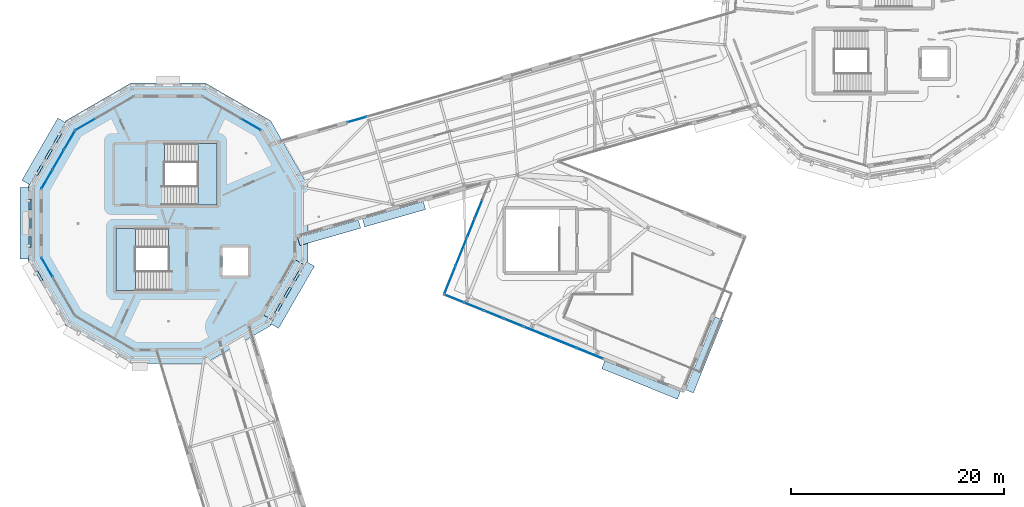
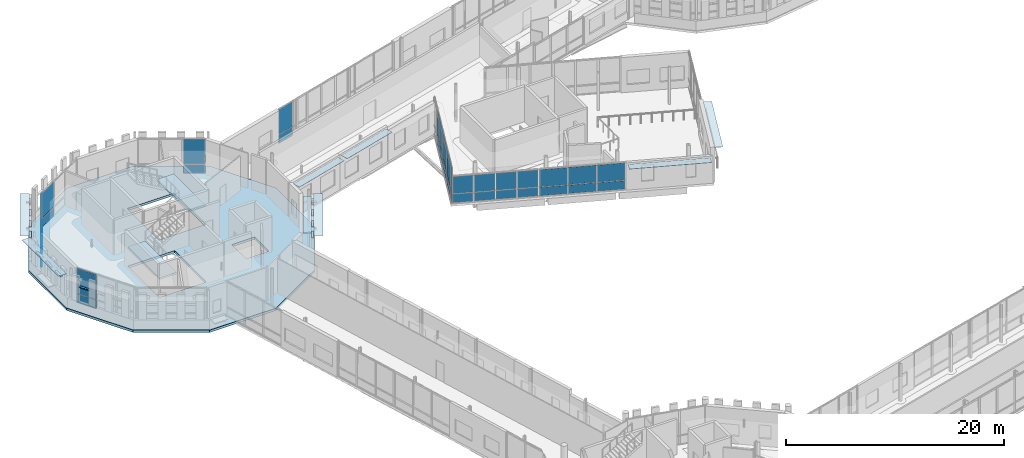
# One storey, part 74 of 125: 54 plates, 3 slabs, 11 elements without a shape of their own.
"""IFC4 building model written with IfcOpenShell, lengths in metres."""

from ifc_helpers import new_model, si_unit, direction, frame, origin, origin_2d, place, context, subcontext, project, spatial, polyline, rectangle, outline, extrude, material, layer, layer_set, type_object, element, aggregate, save


model = new_model("IFC4")

# Units and contexts
model_context = context("Model", 3, precision=1e-05, world=origin(), true_north=direction((0.0, 1.0)))
body_context = subcontext(model_context, "Body", "Model", "MODEL_VIEW")
ifc_project = project(units=[si_unit("LENGTHUNIT", "METRE"), si_unit("AREAUNIT", "SQUARE_METRE"), si_unit("VOLUMEUNIT", "CUBIC_METRE"), si_unit("PLANEANGLEUNIT", "RADIAN"), si_unit("MASSUNIT", "GRAM", prefix="KILO")], contexts=[model_context])

# Site, building, storey
site_placement = place(None, origin())
site = spatial("IfcSite", under=ifc_project, at=site_placement, CompositionType="ELEMENT")
building_placement = place(site_placement, origin())
building = spatial("IfcBuilding", under=site, at=building_placement, Name="Wrenclough Park School", CompositionType="ELEMENT")
storey_placement = place(building_placement, frame((0.0, 0.0, 4.199951171875)))
storey = spatial("IfcBuildingStorey", under=building, at=storey_placement, Name="L01", CompositionType="ELEMENT", Elevation=4.199951171875)

# Curtain wall, plates
ifc_material_1 = material(Name="Thermally broken aluminium and low-e glass curtain wall", Category="aluminium")
curtain_wall_type_1 = type_object("IfcCurtainWallType", Name="ENV-CW-01", PredefinedType="USERDEFINED", material=ifc_material_1)
curtain_wall_1_placement = place(storey_placement, origin())
curtain_wall_1 = element("IfcCurtainWall", 1, at=curtain_wall_1_placement, inside=storey, type_object=curtain_wall_type_1, Name="L01 recessed curtain wall assembly 096", ObjectType="CURTAIN WALL", PredefinedType="USERDEFINED")
ifc_material_2 = material(Name="Double-glazed solar-control low-e glass", Category="glass")
ifc_layer_1 = layer(ifc_material_2, 0.02587890625)
ifc_layer_set_1 = layer_set([ifc_layer_1], Name="Double-glazed solar-control low-e glass")
plate_type_1 = type_object("IfcPlateType", Name="ENV-CWP-GL26", PredefinedType="CURTAIN_PANEL", material=ifc_layer_set_1)
plate_1_placement = place(storey_placement, frame((8.720458984375, 98.756103515625, 0.06005859375), z_axis=(0.0, 0.0, 1.0), x_axis=(0.86602591075, 0.499999121909, 0.0)))
plate_1 = element("IfcPlate", 2, at=plate_1_placement, type_object=plate_type_1, Name="CW-01 panel 1.1", PredefinedType="CURTAIN_PANEL", context=body_context, shape_type="SweptSolid", body=[
    extrude(rectangle(XDim=2.0341796875, YDim=0.02587890625, at=origin_2d()), origin(), (0.0, 0.0, 1.0), 0.9599609375),
])
plate_2_placement = place(storey_placement, frame((8.720458984375, 98.756103515625, 1.080078125), z_axis=(0.0, 0.0, 1.0), x_axis=(0.86602591075, 0.499999121909, 0.0)))
plate_2 = element("IfcPlate", 3, at=plate_2_placement, type_object=plate_type_1, Name="CW-01 panel 1.2", PredefinedType="CURTAIN_PANEL", context=body_context, shape_type="SweptSolid", body=[
    extrude(rectangle(XDim=2.0341796875, YDim=0.02587890625, at=origin_2d()), origin(), (0.0, 0.0, 1.0), 2.800048828125),
])
aggregate(curtain_wall_1, [plate_1, plate_2])

curtain_wall_2_placement = place(storey_placement, origin())
curtain_wall_2 = element("IfcCurtainWall", 4, at=curtain_wall_2_placement, inside=storey, type_object=curtain_wall_type_1, Name="L01 recessed curtain wall assembly 176", ObjectType="CURTAIN WALL", PredefinedType="USERDEFINED")
plate_3_placement = place(storey_placement, frame((48.89990234375, 80.1796875, 0.06982421875), z_axis=(0.0, 0.0, 1.0), x_axis=(-0.927185306493, 0.374602999753, 0.0)))
plate_3 = element("IfcPlate", 5, at=plate_3_placement, type_object=plate_type_1, Name="CW-01 panel 1.1", PredefinedType="CURTAIN_PANEL", context=body_context, shape_type="SweptSolid", body=[
    extrude(rectangle(XDim=1.90625, YDim=0.02587890625, at=origin_2d()), origin(), (0.0, 0.0, 1.0), 0.945068359375),
])
plate_4_placement = place(storey_placement, frame((48.89990234375, 80.1796875, 1.0849609375), z_axis=(0.0, 0.0, 1.0), x_axis=(-0.927185306493, 0.374602999753, 0.0)))
plate_4 = element("IfcPlate", 6, at=plate_4_placement, type_object=plate_type_1, Name="CW-01 panel 1.2", PredefinedType="CURTAIN_PANEL", context=body_context, shape_type="SweptSolid", body=[
    extrude(rectangle(XDim=1.90625, YDim=0.02587890625, at=origin_2d()), origin(), (0.0, 0.0, 1.0), 1.902099609375),
])
plate_5_placement = place(storey_placement, frame((47.05126953125, 80.926513671875, 0.06982421875), z_axis=(0.0, 0.0, 1.0), x_axis=(-0.927185306493, 0.374602999753, 0.0)))
plate_5 = element("IfcPlate", 7, at=plate_5_placement, type_object=plate_type_1, Name="CW-01 panel 2.1", PredefinedType="CURTAIN_PANEL", context=body_context, shape_type="SweptSolid", body=[
    extrude(rectangle(XDim=1.94140625, YDim=0.02587890625, at=origin_2d()), origin(), (0.0, 0.0, 1.0), 0.945068359375),
])
plate_6_placement = place(storey_placement, frame((47.05126953125, 80.926513671875, 1.0849609375), z_axis=(0.0, 0.0, 1.0), x_axis=(-0.927185306493, 0.374602999753, 0.0)))
plate_6 = element("IfcPlate", 8, at=plate_6_placement, type_object=plate_type_1, Name="CW-01 panel 2.2", PredefinedType="CURTAIN_PANEL", context=body_context, shape_type="SweptSolid", body=[
    extrude(rectangle(XDim=1.94140625, YDim=0.02587890625, at=origin_2d()), origin(), (0.0, 0.0, 1.0), 1.902099609375),
])
plate_7_placement = place(storey_placement, frame((45.186279296875, 81.679931640625, 0.06982421875), z_axis=(0.0, 0.0, 1.0), x_axis=(-0.927185306493, 0.374602999753, 0.0)))
plate_7 = element("IfcPlate", 9, at=plate_7_placement, type_object=plate_type_1, Name="CW-01 panel 3.1", PredefinedType="CURTAIN_PANEL", context=body_context, shape_type="SweptSolid", body=[
    extrude(rectangle(XDim=1.94140625, YDim=0.02587890625, at=origin_2d()), origin(), (0.0, 0.0, 1.0), 0.945068359375),
])
plate_8_placement = place(storey_placement, frame((45.186279296875, 81.679931640625, 1.0849609375), z_axis=(0.0, 0.0, 1.0), x_axis=(-0.927185306493, 0.374602999753, 0.0)))
plate_8 = element("IfcPlate", 10, at=plate_8_placement, type_object=plate_type_1, Name="CW-01 panel 3.2", PredefinedType="CURTAIN_PANEL", context=body_context, shape_type="SweptSolid", body=[
    extrude(rectangle(XDim=1.94140625, YDim=0.02587890625, at=origin_2d()), origin(), (0.0, 0.0, 1.0), 1.902099609375),
])
plate_9_placement = place(storey_placement, frame((43.337646484375, 82.427001953125, 0.06982421875), z_axis=(0.0, 0.0, 1.0), x_axis=(-0.927185306493, 0.374602999753, 0.0)))
plate_9 = element("IfcPlate", 11, at=plate_9_placement, type_object=plate_type_1, Name="CW-01 panel 4.1", PredefinedType="CURTAIN_PANEL", context=body_context, shape_type="SweptSolid", body=[
    extrude(rectangle(XDim=1.90625, YDim=0.02587890625, at=origin_2d()), origin(), (0.0, 0.0, 1.0), 0.945068359375),
])
plate_10_placement = place(storey_placement, frame((43.337646484375, 82.427001953125, 1.0849609375), z_axis=(0.0, 0.0, 1.0), x_axis=(-0.927185306493, 0.374602999753, 0.0)))
plate_10 = element("IfcPlate", 12, at=plate_10_placement, type_object=plate_type_1, Name="CW-01 panel 4.2", PredefinedType="CURTAIN_PANEL", context=body_context, shape_type="SweptSolid", body=[
    extrude(rectangle(XDim=1.90625, YDim=0.02587890625, at=origin_2d()), origin(), (0.0, 0.0, 1.0), 1.902099609375),
])
aggregate(curtain_wall_2, [plate_3, plate_4, plate_5, plate_6, plate_7, plate_8, plate_9, plate_10])

curtain_wall_type_2 = type_object("IfcCurtainWallType", Name="ENV-CW-02", PredefinedType="USERDEFINED", material=ifc_material_1)
curtain_wall_3_placement = place(storey_placement, origin())
curtain_wall_3 = element("IfcCurtainWall", 13, at=curtain_wall_3_placement, inside=storey, type_object=curtain_wall_type_2, Name="L01 recessed curtain wall assembly 097", ObjectType="CURTAIN WALL", PredefinedType="USERDEFINED")
ifc_material_3 = material(Name="Double-glazed acoustic low-e glass", Category="glass")
ifc_layer_2 = layer(ifc_material_3, 0.030029296875)
ifc_layer_set_2 = layer_set([ifc_layer_2], Name="Double-glazed acoustic low-e glass")
plate_type_2 = type_object("IfcPlateType", Name="ENV-CWP-GL30", PredefinedType="CURTAIN_PANEL", material=ifc_layer_set_2)
plate_11_placement = place(storey_placement, frame((24.2783203125, 98.7568359375, 0.06494140625), z_axis=(0.0, 0.0, 1.0), x_axis=(0.86602591075, -0.499999121909, 0.0)))
plate_11 = element("IfcPlate", 14, at=plate_11_placement, type_object=plate_type_2, Name="CW-02 panel 3.1", PredefinedType="CURTAIN_PANEL", context=body_context, shape_type="SweptSolid", body=[
    extrude(rectangle(XDim=2.026611328125, YDim=0.030029296875, at=origin_2d()), origin(), (0.0, 0.0, 1.0), 0.952392578125),
])
plate_12_placement = place(storey_placement, frame((24.2783203125, 98.7568359375, 1.08251953125), z_axis=(0.0, 0.0, 1.0), x_axis=(0.86602591075, -0.499999121909, 0.0)))
plate_12 = element("IfcPlate", 15, at=plate_12_placement, type_object=plate_type_2, Name="CW-02 panel 3.2", PredefinedType="CURTAIN_PANEL", context=body_context, shape_type="SweptSolid", body=[
    extrude(rectangle(XDim=2.026611328125, YDim=0.030029296875, at=origin_2d()), origin(), (0.0, 0.0, 1.0), 2.79248046875),
])
aggregate(curtain_wall_3, [plate_11, plate_12])

curtain_wall_4_placement = place(storey_placement, origin())
curtain_wall_4 = element("IfcCurtainWall", 16, at=curtain_wall_4_placement, inside=storey, type_object=curtain_wall_type_2, Name="L01 recessed curtain wall assembly 177", ObjectType="CURTAIN WALL", PredefinedType="USERDEFINED")
plate_13_placement = place(storey_placement, frame((42.9296875, 84.1591796875, 0.06005859375), z_axis=(0.0, 0.0, 1.0), x_axis=(0.374594739073, 0.927188643944, 0.0)))
plate_13 = element("IfcPlate", 17, at=plate_13_placement, type_object=plate_type_2, Name="CW-02 panel 1.1", PredefinedType="CURTAIN_PANEL", context=body_context, shape_type="SweptSolid", body=[
    extrude(rectangle(XDim=2.77880859375, YDim=0.030029296875, at=origin_2d()), origin(), (0.0, 0.0, 1.0), 0.9599609375),
])
plate_14_placement = place(storey_placement, frame((42.9296875, 84.1591796875, 1.080078125), z_axis=(0.0, 0.0, 1.0), x_axis=(0.374594739073, 0.927188643944, 0.0)))
plate_14 = element("IfcPlate", 18, at=plate_14_placement, type_object=plate_type_2, Name="CW-02 panel 1.2", PredefinedType="CURTAIN_PANEL", context=body_context, shape_type="SweptSolid", body=[
    extrude(rectangle(XDim=2.77880859375, YDim=0.030029296875, at=origin_2d()), origin(), (0.0, 0.0, 1.0), 2.800048828125),
])
plate_15_placement = place(storey_placement, frame((43.9931640625, 86.79150390625, 0.06005859375), z_axis=(0.0, 0.0, 1.0), x_axis=(0.374594739073, 0.927188643944, 0.0)))
plate_15 = element("IfcPlate", 19, at=plate_15_placement, type_object=plate_type_2, Name="CW-02 panel 2.1", PredefinedType="CURTAIN_PANEL", context=body_context, shape_type="SweptSolid", body=[
    extrude(rectangle(XDim=2.77880859375, YDim=0.030029296875, at=origin_2d()), origin(), (0.0, 0.0, 1.0), 0.9599609375),
])
plate_16_placement = place(storey_placement, frame((43.9931640625, 86.79150390625, 1.080078125), z_axis=(0.0, 0.0, 1.0), x_axis=(0.374594739073, 0.927188643944, 0.0)))
plate_16 = element("IfcPlate", 20, at=plate_16_placement, type_object=plate_type_2, Name="CW-02 panel 2.2", PredefinedType="CURTAIN_PANEL", context=body_context, shape_type="SweptSolid", body=[
    extrude(rectangle(XDim=2.77880859375, YDim=0.030029296875, at=origin_2d()), origin(), (0.0, 0.0, 1.0), 2.800048828125),
])
aggregate(curtain_wall_4, [plate_13, plate_14, plate_15, plate_16])

curtain_wall_type_3 = type_object("IfcCurtainWallType", Name="ENV-CW-03", PredefinedType="USERDEFINED", material=ifc_material_1)
curtain_wall_5_placement = place(storey_placement, origin())
curtain_wall_5 = element("IfcCurtainWall", 21, at=curtain_wall_5_placement, inside=storey, type_object=curtain_wall_type_3, Name="L01 recessed curtain wall assembly 098", ObjectType="CURTAIN WALL", PredefinedType="USERDEFINED")
ifc_material_4 = material(Name="Triple-glazed senior-lab low-e glass", Category="glass")
ifc_layer_3 = layer(ifc_material_4, 0.033935546875)
ifc_layer_set_3 = layer_set([ifc_layer_3], Name="Triple-glazed senior-lab low-e glass")
plate_type_3 = type_object("IfcPlateType", Name="ENV-CWP-GL34", PredefinedType="CURTAIN_PANEL", material=ifc_layer_set_3)
plate_17_placement = place(storey_placement, frame((34.20556640625, 99.218017578125, 0.06982421875), z_axis=(0.0, 0.0, 1.0), x_axis=(0.96152245159, 0.274726364021, 0.0)))
plate_17 = element("IfcPlate", 22, at=plate_17_placement, type_object=plate_type_3, Name="CW-03 panel 1.1", PredefinedType="CURTAIN_PANEL", context=body_context, shape_type="SweptSolid", body=[
    extrude(rectangle(XDim=1.786865234375, YDim=0.033935546875, at=origin_2d()), origin(), (0.0, 0.0, 1.0), 0.945068359375),
])
plate_18_placement = place(storey_placement, frame((34.20556640625, 99.218017578125, 1.0849609375), z_axis=(0.0, 0.0, 1.0), x_axis=(0.96152245159, 0.274726364021, 0.0)))
plate_18 = element("IfcPlate", 23, at=plate_18_placement, type_object=plate_type_3, Name="CW-03 panel 1.2", PredefinedType="CURTAIN_PANEL", context=body_context, shape_type="SweptSolid", body=[
    extrude(rectangle(XDim=1.786865234375, YDim=0.033935546875, at=origin_2d()), origin(), (0.0, 0.0, 1.0), 2.784912109375),
])
aggregate(curtain_wall_5, [plate_17, plate_18])

curtain_wall_6_placement = place(storey_placement, origin())
curtain_wall_6 = element("IfcCurtainWall", 24, at=curtain_wall_6_placement, inside=storey, type_object=curtain_wall_type_3, Name="L01 recessed curtain wall assembly 178", ObjectType="CURTAIN WALL", PredefinedType="USERDEFINED")
plate_19_placement = place(storey_placement, frame((44.9033203125, 89.04443359375, 0.06494140625), z_axis=(0.0, 0.0, 1.0), x_axis=(0.374603668605, 0.927185036262, 0.0)))
plate_19 = element("IfcPlate", 25, at=plate_19_placement, type_object=plate_type_3, Name="CW-03 panel 1.1", PredefinedType="CURTAIN_PANEL", context=body_context, shape_type="SweptSolid", body=[
    extrude(rectangle(XDim=1.815185546875, YDim=0.033935546875, at=origin_2d()), origin(), (0.0, 0.0, 1.0), 0.952392578125),
])
plate_20_placement = place(storey_placement, frame((44.9033203125, 89.04443359375, 1.08251953125), z_axis=(0.0, 0.0, 1.0), x_axis=(0.374603668605, 0.927185036262, 0.0)))
plate_20 = element("IfcPlate", 26, at=plate_20_placement, type_object=plate_type_3, Name="CW-03 panel 1.2", PredefinedType="CURTAIN_PANEL", context=body_context, shape_type="SweptSolid", body=[
    extrude(rectangle(XDim=1.815185546875, YDim=0.033935546875, at=origin_2d()), origin(), (0.0, 0.0, 1.0), 2.79248046875),
])
plate_21_placement = place(storey_placement, frame((45.61376953125, 90.802734375, 0.06494140625), z_axis=(0.0, 0.0, 1.0), x_axis=(0.374603668605, 0.927185036262, 0.0)))
plate_21 = element("IfcPlate", 27, at=plate_21_placement, type_object=plate_type_3, Name="CW-03 panel 2.1", PredefinedType="CURTAIN_PANEL", context=body_context, shape_type="SweptSolid", body=[
    extrude(rectangle(XDim=1.84765625, YDim=0.033935546875, at=origin_2d()), origin(), (0.0, 0.0, 1.0), 0.952392578125),
])
plate_22_placement = place(storey_placement, frame((45.61376953125, 90.802734375, 1.08251953125), z_axis=(0.0, 0.0, 1.0), x_axis=(0.374603668605, 0.927185036262, 0.0)))
plate_22 = element("IfcPlate", 28, at=plate_22_placement, type_object=plate_type_3, Name="CW-03 panel 2.2", PredefinedType="CURTAIN_PANEL", context=body_context, shape_type="SweptSolid", body=[
    extrude(rectangle(XDim=1.84765625, YDim=0.033935546875, at=origin_2d()), origin(), (0.0, 0.0, 1.0), 2.79248046875),
])
aggregate(curtain_wall_6, [plate_19, plate_20, plate_21, plate_22])

curtain_wall_type_4 = type_object("IfcCurtainWallType", Name="ENV-CW-15", PredefinedType="USERDEFINED", material=ifc_material_1)
curtain_wall_7_placement = place(storey_placement, origin())
curtain_wall_7 = element("IfcCurtainWall", 29, at=curtain_wall_7_placement, inside=storey, type_object=curtain_wall_type_4, Name="L01 recessed curtain wall assembly 094", ObjectType="CURTAIN WALL", PredefinedType="USERDEFINED")
ifc_material_5 = material(Name="Insulated patinated copper-toned spandrel panel", Category="aluminium")
ifc_layer_4 = layer(ifc_material_5, 0.048095703125)
ifc_layer_set_4 = layer_set([ifc_layer_4], Name="Insulated patinated copper-toned spandrel panel")
plate_type_4 = type_object("IfcPlateType", Name="ENV-CWP-SP48", PredefinedType="CURTAIN_PANEL", material=ifc_layer_set_4)
plate_23_placement = place(storey_placement, frame((5.13525390625, 85.37255859375, 0.06494140625), z_axis=(0.0, 0.0, 1.0), x_axis=(-0.499999121909, 0.86602591075, 0.0)))
plate_23 = element("IfcPlate", 30, at=plate_23_placement, type_object=plate_type_4, Name="CW-15 panel 3.1", PredefinedType="CURTAIN_PANEL", context=body_context, shape_type="SweptSolid", body=[
    extrude(rectangle(XDim=2.026611328125, YDim=0.048095703125, at=origin_2d()), origin(), (0.0, 0.0, 1.0), 0.952392578125),
])
plate_24_placement = place(storey_placement, frame((5.13525390625, 85.37255859375, 1.08251953125), z_axis=(0.0, 0.0, 1.0), x_axis=(-0.499999121909, 0.86602591075, 0.0)))
plate_24 = element("IfcPlate", 31, at=plate_24_placement, type_object=plate_type_4, Name="CW-15 panel 3.2", PredefinedType="CURTAIN_PANEL", context=body_context, shape_type="SweptSolid", body=[
    extrude(rectangle(XDim=2.026611328125, YDim=0.048095703125, at=origin_2d()), origin(), (0.0, 0.0, 1.0), 2.79248046875),
])
aggregate(curtain_wall_7, [plate_23, plate_24])

curtain_wall_type_5 = type_object("IfcCurtainWallType", Name="ENV-CW-16", PredefinedType="USERDEFINED", material=ifc_material_1)
curtain_wall_8_placement = place(storey_placement, origin())
curtain_wall_8 = element("IfcCurtainWall", 32, at=curtain_wall_8_placement, inside=storey, type_object=curtain_wall_type_5, Name="L01 recessed curtain wall assembly 095", ObjectType="CURTAIN WALL", PredefinedType="USERDEFINED")
ifc_material_6 = material(Name="Acoustic mineral-wool spandrel cassette", Category="aluminium")
ifc_layer_5 = layer(ifc_material_6, 0.053955078125)
ifc_layer_set_5 = layer_set([ifc_layer_5], Name="Acoustic mineral-wool spandrel cassette")
plate_type_5 = type_object("IfcPlateType", Name="ENV-CWP-SP54", PredefinedType="CURTAIN_PANEL", material=ifc_layer_set_5)
plate_25_placement = place(storey_placement, frame((5.135986328125, 93.628662109375, 0.06982421875), z_axis=(0.0, 0.0, 1.0), x_axis=(0.499999121909, 0.86602591075, 0.0)))
plate_25 = element("IfcPlate", 33, at=plate_25_placement, type_object=plate_type_5, Name="CW-16 panel 1.1", PredefinedType="CURTAIN_PANEL", context=body_context, shape_type="SweptSolid", body=[
    extrude(rectangle(XDim=2.01904296875, YDim=0.053955078125, at=origin_2d()), origin(), (0.0, 0.0, 1.0), 0.945068359375),
])
plate_26_placement = place(storey_placement, frame((5.135986328125, 93.628662109375, 1.0849609375), z_axis=(0.0, 0.0, 1.0), x_axis=(0.499999121909, 0.86602591075, 0.0)))
plate_26 = element("IfcPlate", 34, at=plate_26_placement, type_object=plate_type_5, Name="CW-16 panel 1.2", PredefinedType="CURTAIN_PANEL", context=body_context, shape_type="SweptSolid", body=[
    extrude(rectangle(XDim=2.01904296875, YDim=0.053955078125, at=origin_2d()), origin(), (0.0, 0.0, 1.0), 2.784912109375),
])
plate_27_placement = place(storey_placement, frame((6.189208984375, 95.452880859375, 0.06982421875), z_axis=(0.0, 0.0, 1.0), x_axis=(0.499999121909, 0.86602591075, 0.0)))
plate_27 = element("IfcPlate", 35, at=plate_27_placement, type_object=plate_type_5, Name="CW-16 panel 2.1", PredefinedType="CURTAIN_PANEL", context=body_context, shape_type="SweptSolid", body=[
    extrude(rectangle(XDim=2.053955078125, YDim=0.053955078125, at=origin_2d()), origin(), (0.0, 0.0, 1.0), 0.945068359375),
])
plate_28_placement = place(storey_placement, frame((6.189208984375, 95.452880859375, 1.0849609375), z_axis=(0.0, 0.0, 1.0), x_axis=(0.499999121909, 0.86602591075, 0.0)))
plate_28 = element("IfcPlate", 36, at=plate_28_placement, type_object=plate_type_5, Name="CW-16 panel 2.2", PredefinedType="CURTAIN_PANEL", context=body_context, shape_type="SweptSolid", body=[
    extrude(rectangle(XDim=2.053955078125, YDim=0.053955078125, at=origin_2d()), origin(), (0.0, 0.0, 1.0), 2.784912109375),
])
plate_29_placement = place(storey_placement, frame((7.242431640625, 97.27734375, 0.06982421875), z_axis=(0.0, 0.0, 1.0), x_axis=(0.499999121909, 0.86602591075, 0.0)))
plate_29 = element("IfcPlate", 37, at=plate_29_placement, type_object=plate_type_5, Name="CW-16 panel 3.1", PredefinedType="CURTAIN_PANEL", context=body_context, shape_type="SweptSolid", body=[
    extrude(rectangle(XDim=2.01904296875, YDim=0.053955078125, at=origin_2d()), origin(), (0.0, 0.0, 1.0), 0.945068359375),
])
plate_30_placement = place(storey_placement, frame((7.242431640625, 97.27734375, 1.0849609375), z_axis=(0.0, 0.0, 1.0), x_axis=(0.499999121909, 0.86602591075, 0.0)))
plate_30 = element("IfcPlate", 38, at=plate_30_placement, type_object=plate_type_5, Name="CW-16 panel 3.2", PredefinedType="CURTAIN_PANEL", context=body_context, shape_type="SweptSolid", body=[
    extrude(rectangle(XDim=2.01904296875, YDim=0.053955078125, at=origin_2d()), origin(), (0.0, 0.0, 1.0), 2.784912109375),
])
aggregate(curtain_wall_8, [plate_25, plate_26, plate_27, plate_28, plate_29, plate_30])

curtain_wall_9_placement = place(storey_placement, origin())
curtain_wall_9 = element("IfcCurtainWall", 39, at=curtain_wall_9_placement, inside=storey, type_object=curtain_wall_type_5, Name="L01 recessed curtain wall assembly 175", ObjectType="CURTAIN WALL", PredefinedType="USERDEFINED")
plate_31_placement = place(storey_placement, frame((56.05712890625, 77.2880859375, 0.06494140625), z_axis=(0.0, 0.0, 1.0), x_axis=(-0.927185306493, 0.374602999753, 0.0)))
plate_31 = element("IfcPlate", 40, at=plate_31_placement, type_object=plate_type_5, Name="CW-16 panel 1.1", PredefinedType="CURTAIN_PANEL", context=body_context, shape_type="SweptSolid", body=[
    extrude(rectangle(XDim=2.584228515625, YDim=0.053955078125, at=origin_2d()), origin(), (0.0, 0.0, 1.0), 0.952392578125),
])
plate_32_placement = place(storey_placement, frame((56.05712890625, 77.2880859375, 1.08251953125), z_axis=(0.0, 0.0, 1.0), x_axis=(-0.927185306493, 0.374602999753, 0.0)))
plate_32 = element("IfcPlate", 41, at=plate_32_placement, type_object=plate_type_5, Name="CW-16 panel 1.2", PredefinedType="CURTAIN_PANEL", context=body_context, shape_type="SweptSolid", body=[
    extrude(rectangle(XDim=2.584228515625, YDim=0.053955078125, at=origin_2d()), origin(), (0.0, 0.0, 1.0), 1.909423828125),
])
plate_33_placement = place(storey_placement, frame((53.585693359375, 78.28662109375, 0.06494140625), z_axis=(0.0, 0.0, 1.0), x_axis=(-0.927185306493, 0.374602999753, 0.0)))
plate_33 = element("IfcPlate", 42, at=plate_33_placement, type_object=plate_type_5, Name="CW-16 panel 2.1", PredefinedType="CURTAIN_PANEL", context=body_context, shape_type="SweptSolid", body=[
    extrude(rectangle(XDim=2.61669921875, YDim=0.053955078125, at=origin_2d()), origin(), (0.0, 0.0, 1.0), 0.952392578125),
])
plate_34_placement = place(storey_placement, frame((53.585693359375, 78.28662109375, 1.08251953125), z_axis=(0.0, 0.0, 1.0), x_axis=(-0.927185306493, 0.374602999753, 0.0)))
plate_34 = element("IfcPlate", 43, at=plate_34_placement, type_object=plate_type_5, Name="CW-16 panel 2.2", PredefinedType="CURTAIN_PANEL", context=body_context, shape_type="SweptSolid", body=[
    extrude(rectangle(XDim=2.61669921875, YDim=0.053955078125, at=origin_2d()), origin(), (0.0, 0.0, 1.0), 1.909423828125),
])
plate_35_placement = place(storey_placement, frame((51.1142578125, 79.284912109375, 0.06494140625), z_axis=(0.0, 0.0, 1.0), x_axis=(-0.927185306493, 0.374602999753, 0.0)))
plate_35 = element("IfcPlate", 44, at=plate_35_placement, type_object=plate_type_5, Name="CW-16 panel 3.1", PredefinedType="CURTAIN_PANEL", context=body_context, shape_type="SweptSolid", body=[
    extrude(rectangle(XDim=2.584228515625, YDim=0.053955078125, at=origin_2d()), origin(), (0.0, 0.0, 1.0), 0.952392578125),
])
plate_36_placement = place(storey_placement, frame((51.1142578125, 79.284912109375, 1.08251953125), z_axis=(0.0, 0.0, 1.0), x_axis=(-0.927185306493, 0.374602999753, 0.0)))
plate_36 = element("IfcPlate", 45, at=plate_36_placement, type_object=plate_type_5, Name="CW-16 panel 3.2", PredefinedType="CURTAIN_PANEL", context=body_context, shape_type="SweptSolid", body=[
    extrude(rectangle(XDim=2.584228515625, YDim=0.053955078125, at=origin_2d()), origin(), (0.0, 0.0, 1.0), 1.909423828125),
])
aggregate(curtain_wall_9, [plate_31, plate_32, plate_33, plate_34, plate_35, plate_36])

# Plates
ifc_material_7 = material(Name="Anodised architectural aluminium solar shading fin plate", Category="aluminium")
ifc_layer_6 = layer(ifc_material_7, 0.0380859375)
ifc_layer_set_6 = layer_set([ifc_layer_6], Name="Anodised architectural aluminium solar shading fin plate")
plate_type_6 = type_object("IfcPlateType", Name="ENV-PL-BSF", PredefinedType="SHEET", material=ifc_layer_set_6)
for number, where, z_axis, x_axis, name in (
    (46, (6.1591796875, 97.50244140625, 2.72216796875), (0.0, 0.0, 1.0), (-0.499990505441, -0.866030885401, 0.0), "D3 L01 open-bond brick screen tie band 0214"),
    (47, (5.279296875, 95.978271484375, 2.72216796875), (0.0, 0.0, 1.0), (-0.499990505441, -0.866030885401, 0.0), "D3 L01 open-bond brick screen tie band 0215"),
    (48, (4.3994140625, 94.4541015625, 2.72216796875), (0.0, 0.0, 1.0), (-0.499990505441, -0.866030885401, 0.0), "D3 L01 open-bond brick screen tie band 0216"),
):
    element("IfcPlate", number, at=place(storey_placement, frame(where, z_axis=z_axis, x_axis=x_axis)), inside=storey, type_object=plate_type_6, Name=name, PredefinedType="SHEET", context=body_context, shape_type="SweptSolid", body=[
        extrude(rectangle(XDim=1.071044921875, YDim=0.219970703125, at=origin_2d()), origin(), (0.0, 0.0, 1.0), 0.0419921875),
    ])
plate_37_placement = place(storey_placement, frame((4.8310546875, 96.237060546875, 3.700927734375), z_axis=(0.0, 0.0, 1.0), x_axis=(-0.499990505441, -0.866030885401, 0.0)))
element("IfcPlate", 49, at=plate_37_placement, inside=storey, type_object=plate_type_6, Name="D3 L01 sun-side projecting brise-soleil blade 0020", PredefinedType="SHEET", context=body_context, shape_type="SweptSolid", body=[
    extrude(rectangle(XDim=6.739990234375, YDim=0.85009765625, at=origin_2d()), origin(), (0.0, 0.0, 1.0), 0.0380859375),
])
plate_38_placement = place(storey_placement, frame((3.54345703125, 91.260009765625, 2.72216796875), z_axis=(0.0, 0.0, 1.0), x_axis=(0.0, -1.0, 0.0)))
element("IfcPlate", 50, at=plate_38_placement, inside=storey, type_object=plate_type_6, Name="D3 L01 open-bond brick screen tie band 0217", PredefinedType="SHEET", context=body_context, shape_type="SweptSolid", body=[
    extrude(rectangle(XDim=1.07080078125, YDim=0.219970703125, at=origin_2d()), origin(), (0.0, 0.0, 1.0), 0.0419921875),
])
plate_39_placement = place(storey_placement, frame((3.54345703125, 89.5, 2.72216796875), z_axis=(0.0, 0.0, 1.0), x_axis=(0.0, -1.0, 0.0)))
element("IfcPlate", 51, at=plate_39_placement, inside=storey, type_object=plate_type_6, Name="D3 L01 open-bond brick screen tie band 0218", PredefinedType="SHEET", context=body_context, shape_type="SweptSolid", body=[
    extrude(rectangle(XDim=1.071044921875, YDim=0.219970703125, at=origin_2d()), origin(), (0.0, 0.0, 1.0), 0.0419921875),
])
plate_40_placement = place(storey_placement, frame((3.54345703125, 87.739990234375, 2.72216796875), z_axis=(0.0, 0.0, 1.0), x_axis=(0.0, -1.0, 0.0)))
element("IfcPlate", 52, at=plate_40_placement, inside=storey, type_object=plate_type_6, Name="D3 L01 open-bond brick screen tie band 0219", PredefinedType="SHEET", context=body_context, shape_type="SweptSolid", body=[
    extrude(rectangle(XDim=1.07080078125, YDim=0.219970703125, at=origin_2d()), origin(), (0.0, 0.0, 1.0), 0.0419921875),
])
plate_41_placement = place(storey_placement, frame((3.02587890625, 89.5, 3.700927734375), z_axis=(0.0, 0.0, 1.0), x_axis=(0.0, -1.0, 0.0)))
element("IfcPlate", 53, at=plate_41_placement, inside=storey, type_object=plate_type_6, Name="D3 L01 sun-side projecting brise-soleil blade 0021", PredefinedType="SHEET", context=body_context, shape_type="SweptSolid", body=[
    extrude(rectangle(XDim=6.73974609375, YDim=0.85009765625, at=origin_2d()), origin(), (0.0, 0.0, 1.0), 0.0380859375),
])
for number, where, z_axis, x_axis, name in (
    (54, (4.3994140625, 84.5458984375, 2.72216796875), (0.0, 0.0, 1.0), (0.499990505441, -0.866030885401, 0.0), "D3 L01 open-bond brick screen tie band 0220"),
    (55, (26.8408203125, 81.49755859375, 2.72216796875), (0.0, 0.0, 1.0), (0.499990505441, 0.866030885401, 0.0), "D3 L01 open-bond brick screen tie band 0226"),
    (56, (27.720703125, 83.021728515625, 2.72216796875), (0.0, 0.0, 1.0), (0.499990505441, 0.866030885401, 0.0), "D3 L01 open-bond brick screen tie band 0227"),
    (57, (28.600830078125, 84.5458984375, 2.72216796875), (0.0, 0.0, 1.0), (0.499990505441, 0.866030885401, 0.0), "D3 L01 open-bond brick screen tie band 0228"),
):
    element("IfcPlate", number, at=place(storey_placement, frame(where, z_axis=z_axis, x_axis=x_axis)), inside=storey, type_object=plate_type_6, Name=name, PredefinedType="SHEET", context=body_context, shape_type="SweptSolid", body=[
        extrude(rectangle(XDim=1.071044921875, YDim=0.219970703125, at=origin_2d()), origin(), (0.0, 0.0, 1.0), 0.0419921875),
    ])
plate_42_placement = place(storey_placement, frame((28.1689453125, 82.762939453125, 3.700927734375), z_axis=(0.0, 0.0, 1.0), x_axis=(0.499990505441, 0.866030885401, 0.0)))
element("IfcPlate", 58, at=plate_42_placement, inside=storey, type_object=plate_type_6, Name="D3 L01 sun-side projecting brise-soleil blade 0024", PredefinedType="SHEET", context=body_context, shape_type="SweptSolid", body=[
    extrude(rectangle(XDim=6.739990234375, YDim=0.85009765625, at=origin_2d()), origin(), (0.0, 0.0, 1.0), 0.0380859375),
])
plate_43_placement = place(storey_placement, frame((66.783203125, 77.14990234375, 3.720947265625), z_axis=(0.0, 0.0, 1.0), x_axis=(-0.374601822124, -0.92718578228, 0.0)))
element("IfcPlate", 59, at=plate_43_placement, inside=storey, type_object=plate_type_6, Name="L01 link wing sun-side brise-soleil blade 0166", PredefinedType="SHEET", context=body_context, shape_type="SweptSolid", body=[
    extrude(rectangle(XDim=7.3798828125, YDim=0.800048828125, at=origin_2d()), origin(), (0.0, 0.0, 1.0), 0.0380859375),
])
plate_44_placement = place(storey_placement, frame((60.8623046875, 74.79931640625, 2.837890625), z_axis=(0.0, 0.0, 1.0), x_axis=(-0.927184864886, 0.374604092779, 0.0)))
element("IfcPlate", 60, at=plate_44_placement, inside=storey, type_object=plate_type_6, Name="L01 link wing sun-side brise-soleil blade 0167", PredefinedType="SHEET", context=body_context, shape_type="SweptSolid", body=[
    extrude(rectangle(XDim=7.6533203125, YDim=0.800048828125, at=origin_2d()), origin(), (0.0, 0.0, 1.0), 0.0380859375),
])
for number, where, z_axis, x_axis, name in (
    (61, (37.69091796875, 90.3544921875, 3.720947265625), (0.0, 0.0, 1.0), (-0.96152275698, -0.274725295176, 0.0), "L01 link wing sun-side brise-soleil blade 0169"),
    (62, (31.599365234375, 88.60107421875, 3.720947265625), (0.0, 0.0, 1.0), (-0.961525733631, -0.274714876856, 0.0), "L01 link wing sun-side brise-soleil blade 0170"),
):
    element("IfcPlate", number, at=place(storey_placement, frame(where, z_axis=z_axis, x_axis=x_axis)), inside=storey, type_object=plate_type_6, Name=name, PredefinedType="SHEET", context=body_context, shape_type="SweptSolid", body=[
        extrude(rectangle(XDim=5.938720703125, YDim=0.800048828125, at=origin_2d()), origin(), (0.0, 0.0, 1.0), 0.0380859375),
    ])
plate_45_placement = place(storey_placement, frame((27.295654296875, 83.26708984375, 3.720947265625), z_axis=(0.0, 0.0, 1.0), x_axis=(-0.499994250351, -0.866028723321, 0.0)))
element("IfcPlate", 63, at=plate_45_placement, inside=storey, type_object=plate_type_6, Name="L01 link wing sun-side brise-soleil blade 0171", PredefinedType="SHEET", context=body_context, shape_type="SweptSolid", body=[
    extrude(rectangle(XDim=5.980224609375, YDim=0.800048828125, at=origin_2d()), origin(), (0.0, 0.0, 1.0), 0.0380859375),
])

# Stair, slab
ifc_material_8 = material(Name="Precast concrete C40/50", Category="concrete")
stair_type = type_object("IfcStairType", Name="INT-ST-180-42", PredefinedType="HALF_TURN_STAIR", material=ifc_material_8)
stair_1_placement = place(storey_placement, origin())
stair_1 = element("IfcStair", 64, at=stair_1_placement, inside=storey, type_object=stair_type, Name="L01 escape stair ST-03", PredefinedType="HALF_TURN_STAIR")
ifc_layer_7 = layer(ifc_material_8, 0.195068359375)
ifc_layer_set_7 = layer_set([ifc_layer_7], Name="Precast concrete C40/50")
slab_type_1 = type_object("IfcSlabType", Name="INT-SL-LAND195", PredefinedType="LANDING", material=ifc_layer_set_7)
slab_1_placement = place(storey_placement, frame((0.0, 0.0, 1.989013671875)))
slab_1 = element("IfcSlab", 65, at=slab_1_placement, type_object=slab_type_1, Name="ST-03 landing 1", PredefinedType="LANDING", context=body_context, shape_type="SweptSolid", body=[
    extrude(outline(polyline([(11.60009765625, 83.199951171875), (13.423095703125, 83.199951171875), (13.423095703125, 89.0), (11.60009765625, 89.0), (11.60009765625, 83.199951171875)])), origin(), (0.0, 0.0, 1.0), 0.195068359375),
])
aggregate(stair_1, [slab_1])

stair_2_placement = place(storey_placement, origin())
stair_2 = element("IfcStair", 66, at=stair_2_placement, inside=storey, type_object=stair_type, Name="L01 escape stair ST-07", PredefinedType="HALF_TURN_STAIR")
slab_2_placement = place(storey_placement, frame((0.0, 0.0, 1.989013671875)))
slab_2 = element("IfcSlab", 67, at=slab_2_placement, type_object=slab_type_1, Name="ST-07 landing 1", PredefinedType="LANDING", context=body_context, shape_type="SweptSolid", body=[
    extrude(outline(polyline([(19.277099609375, 91.199951171875), (21.10009765625, 91.199951171875), (21.10009765625, 97.0), (19.277099609375, 97.0), (19.277099609375, 91.199951171875)])), origin(), (0.0, 0.0, 1.0), 0.195068359375),
])
aggregate(stair_2, [slab_2])

# Slab
ifc_material_9 = material(Name="Concrete C35/45", Category="concrete")
ifc_layer_8 = layer(ifc_material_9, 0.264892578125)
ifc_layer_set_8 = layer_set([ifc_layer_8], Name="Concrete C35/45")
slab_type_2 = type_object("IfcSlabType", Name="STR-SL-FL265", PredefinedType="FLOOR", material=ifc_layer_set_8)
slab_3_placement = place(storey_placement, frame((0.0, 0.0, -0.264892578125)))
element("IfcSlab", 68, at=slab_3_placement, inside=storey, type_object=slab_type_2, Name="D3 L01 structural slab SLAB-D3-L01", PredefinedType="FLOOR", context=body_context, shape_type="SweptSolid", body=[
    extrude(outline(polyline([(29.63671875, 93.02001953125), (26.11669921875, 99.11669921875), (20.02001953125, 102.63671875), (12.97998046875, 102.63671875), (6.88330078125, 99.11669921875), (3.36328125, 93.02001953125), (3.36328125, 85.97998046875), (6.88330078125, 79.88330078125), (12.97998046875, 76.36328125), (20.02001953125, 76.36328125), (26.11669921875, 79.88330078125), (29.63671875, 85.97998046875), (29.63671875, 93.02001953125)]), holes=[polyline([(11.60009765625, 83.199951171875), (16.552001953125, 83.199951171875), (16.552001953125, 89.0), (11.60009765625, 89.0), (11.60009765625, 83.199951171875)]), polyline([(21.60009765625, 84.60009765625), (24.0, 84.60009765625), (24.0, 87.199951171875), (21.60009765625, 87.199951171875), (21.60009765625, 84.60009765625)]), polyline([(16.14794921875, 91.199951171875), (21.10009765625, 91.199951171875), (21.10009765625, 97.0), (16.14794921875, 97.0), (16.14794921875, 91.199951171875)])]), origin(), (0.0, 0.0, 1.0), 0.264892578125),
])

save(model, "model.ifc")
